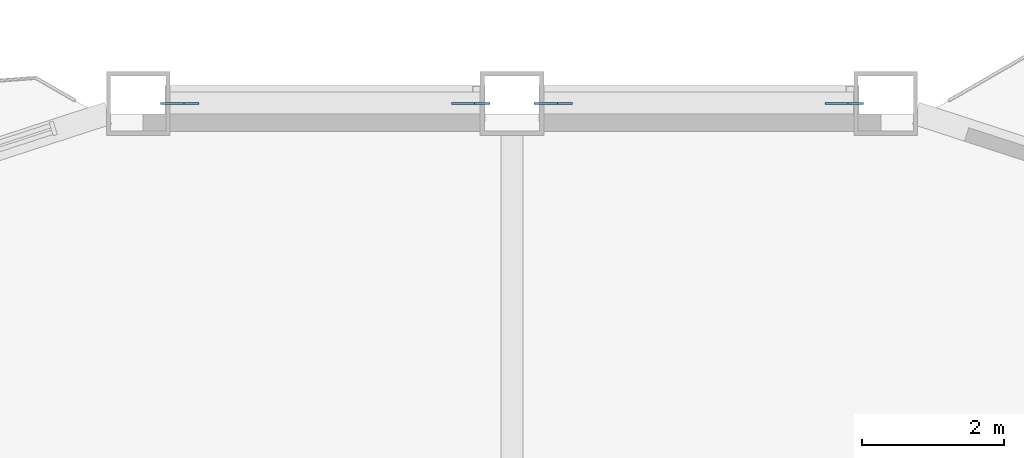
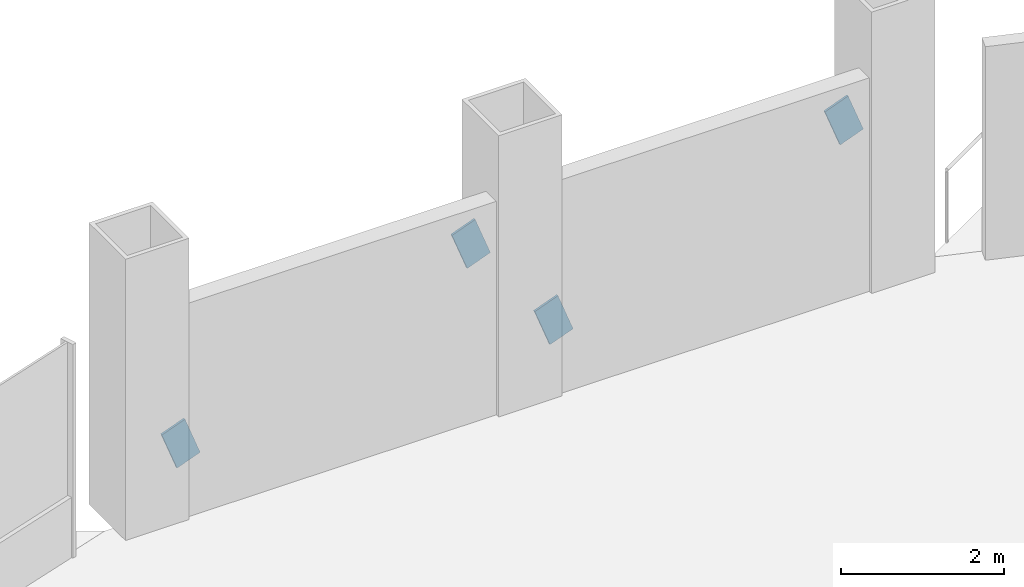
# One storey, part 16 of 21: 4 discrete accessories.
"""IFC4 building model written with IfcOpenShell, lengths in metres."""

from ifc_helpers import new_model, si_unit, direction, frame, origin, origin_2d, place, context, subcontext, project, spatial, rectangle, extrude, material, material_profile, profile_set, type_object, element, save


model = new_model("IFC4")

# Units and contexts
model_context = context("Model", 3, precision=1e-05, world=origin(), true_north=direction((0.0, 1.0)))
body_context = subcontext(model_context, "Body", "Model", "MODEL_VIEW")
ifc_project = project(units=[si_unit("LENGTHUNIT", "METRE"), si_unit("AREAUNIT", "SQUARE_METRE"), si_unit("VOLUMEUNIT", "CUBIC_METRE"), si_unit("PLANEANGLEUNIT", "RADIAN"), si_unit("MASSUNIT", "GRAM", prefix="KILO")], contexts=[model_context])

# Site, building, storey
site_placement = place(None, origin())
site = spatial("IfcSite", under=ifc_project, at=site_placement, CompositionType="ELEMENT")
building_placement = place(site_placement, origin())
building = spatial("IfcBuilding", under=site, at=building_placement, Name="Cormorant Prow Tower", CompositionType="ELEMENT")
storey_placement = place(building_placement, frame((0.0, 0.0, 116.39990234375)))
storey = spatial("IfcBuildingStorey", under=building, at=storey_placement, Name="L24", CompositionType="ELEMENT", Elevation=116.39990234375)

# Discrete accessories
ifc_material = material(Name="Structural steel ASTM A500 Gr C", Category="steel")
ifc_material_profile = material_profile(ifc_material, rectangle(XDim=0.031982421875, YDim=0.60791015625, at=origin_2d()), Name="Gusset plate 32x608")
ifc_profile_set = profile_set([ifc_material_profile], Name="Structural steel ASTM A500 Gr C")
discrete_accessory_type = type_object("IfcDiscreteAccessoryType", Name="Gusset plate 32x608", PredefinedType="BRACKET", material=ifc_profile_set)
for number, where, z_axis, x_axis, name in (
    (1, (0.74853515625, 32.487060546875, 0.882568359375), (-0.935697286394, 0.0, -0.35280389487), (0.0, -1.0, 0.0), "Gusset plate GP1 L24.N00.g0"),
    (2, (4.521240234375, 32.487060546875, 2.306396484375), (0.935379822228, 0.0, 0.353644720261), (0.0, 1.0, 0.0), "Gusset plate GP1 L24.N00.g1"),
):
    element("IfcDiscreteAccessory", number, at=place(storey_placement, frame(where, z_axis=z_axis, x_axis=x_axis)), inside=storey, type_object=discrete_accessory_type, Name=name, PredefinedType="BRACKET", context=body_context, shape_type="SweptSolid", body=[
        extrude(rectangle(XDim=0.031982421875, YDim=0.60791015625, at=origin_2d()), origin(), (0.0, 0.0, 1.0), 0.35009765625),
    ])
discrete_accessory_1_placement = place(storey_placement, frame((-4.521240234375, 32.487060546875, 0.882568359375), z_axis=(-0.935610415408, 0.0, -0.353034205963), x_axis=(0.0, -1.0, 0.0)))
element("IfcDiscreteAccessory", 3, at=discrete_accessory_1_placement, inside=storey, type_object=discrete_accessory_type, Name="Gusset plate GP1 L24.N01.g0", PredefinedType="BRACKET", context=body_context, shape_type="SweptSolid", body=[
    extrude(rectangle(XDim=0.031982421875, YDim=0.60791015625, at=origin_2d()), origin(), (0.0, 0.0, 1.0), 0.349853515625),
])
discrete_accessory_2_placement = place(storey_placement, frame((-0.74853515625, 32.487060546875, 2.306396484375), z_axis=(0.935466972489, 0.0, 0.35341412448), x_axis=(0.0, 1.0, 0.0)))
element("IfcDiscreteAccessory", 4, at=discrete_accessory_2_placement, inside=storey, type_object=discrete_accessory_type, Name="Gusset plate GP1 L24.N01.g1", PredefinedType="BRACKET", context=body_context, shape_type="SweptSolid", body=[
    extrude(rectangle(XDim=0.031982421875, YDim=0.60791015625, at=origin_2d()), origin(), (0.0, 0.0, 1.0), 0.350341796875),
])

save(model, "model.ifc")
